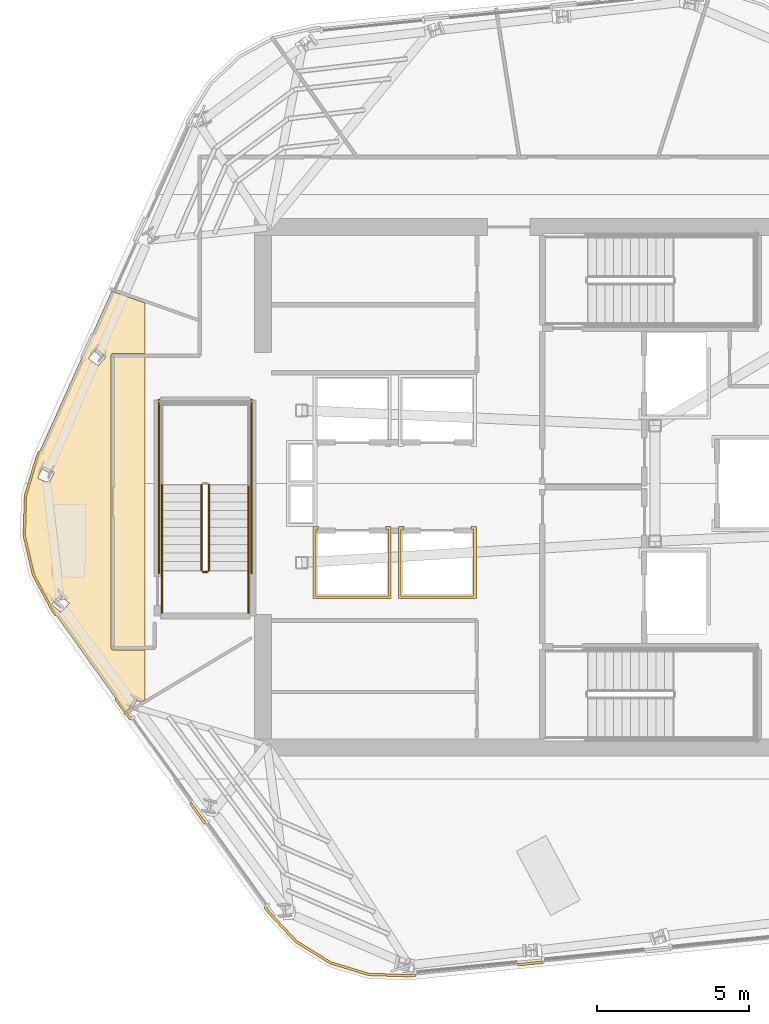
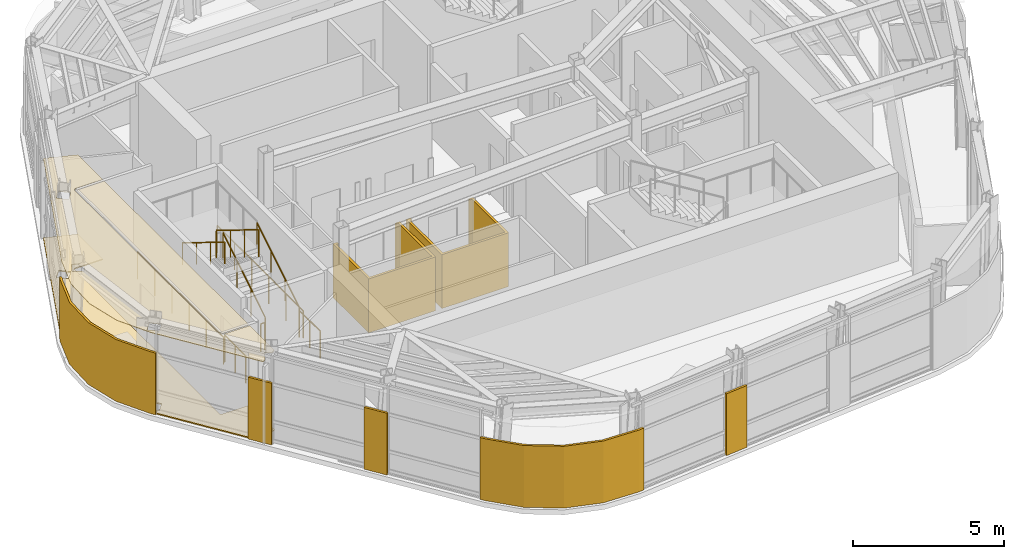
# One storey, part 8 of 12: 10 coverings, 9 railings.
"""IFC4 building model written with IfcOpenShell, lengths in metres."""

from ifc_helpers import new_model, si_unit, direction, frame, origin, origin_2d, place, context, subcontext, project, spatial, polyline, circle, outline, extrude, material, layer, layer_set, type_object, element, save


model = new_model("IFC4")

# Units and contexts
model_context = context("Model", 3, precision=1e-05, world=origin(), true_north=direction((0.0, 1.0)))
body_context = subcontext(model_context, "Body", "Model", "MODEL_VIEW")
ifc_project = project(units=[si_unit("LENGTHUNIT", "METRE"), si_unit("AREAUNIT", "SQUARE_METRE"), si_unit("VOLUMEUNIT", "CUBIC_METRE"), si_unit("PLANEANGLEUNIT", "RADIAN"), si_unit("MASSUNIT", "GRAM", prefix="KILO")], contexts=[model_context])

# Site, building, storey
site_placement = place(None, origin())
site = spatial("IfcSite", under=ifc_project, at=site_placement, CompositionType="ELEMENT")
building_placement = place(site_placement, origin())
building = spatial("IfcBuilding", under=site, at=building_placement, Name="Valkerne Bourse Tower", CompositionType="ELEMENT")
storey_placement = place(building_placement, frame((0.0, 0.0, 307.800048828125)))
storey = spatial("IfcBuildingStorey", under=building, at=storey_placement, Name="L78", CompositionType="ELEMENT", Elevation=307.800048828125)

# Coverings
ifc_material_1 = material(Name="Mineral Fiber Acoustic Ceiling Tile", Category="acoustic")
ifc_layer_1 = layer(ifc_material_1, 0.02490234375)
ifc_layer_set_1 = layer_set([ifc_layer_1], Name="Mineral Fiber Acoustic Ceiling Tile")
covering_type_1 = type_object("IfcCoveringType", Name="COV-CEIL-ACT", PredefinedType="CEILING", material=ifc_layer_set_1)
covering_1_placement = place(storey_placement, frame((0.0, 0.0, 3.22998046875)))
element("IfcCovering", 1, at=covering_1_placement, inside=storey, type_object=covering_type_1, Name="L78 Suspended Ceiling 07", PredefinedType="CEILING", context=body_context, shape_type="SweptSolid", body=[
    extrude(outline(polyline([(29.635009765625, 25.28662109375), (29.676513671875, 26.605712890625), (30.060546875, 27.878173828125), (32.505126953125, 33.316162109375), (33.60009765625, 32.927978515625), (33.60009765625, 31.26904296875), (32.54931640625, 31.26904296875), (32.50830078125, 31.25537109375), (32.483154296875, 31.217529296875), (32.481689453125, 21.589111328125), (32.50390625, 21.54833984375), (32.54638671875, 21.531005859375), (33.60009765625, 21.531005859375), (33.60009765625, 19.902587890625), (33.462158203125, 19.820068359375), (33.231201171875, 19.932861328125), (33.056884765625, 19.577392578125), (32.94287109375, 19.509033203125), (30.564453125, 22.83056640625), (29.936279296875, 24.001953125), (29.635009765625, 25.28662109375)]), holes=[polyline([(31.10986328125, 23.068603515625), (30.7998046875, 23.3349609375), (30.5341796875, 23.027099609375), (30.534912109375, 23.02490234375), (30.844970703125, 22.758544921875), (31.1103515625, 23.06640625), (31.10986328125, 23.068603515625)]), polyline([(30.61474609375, 27.373046875), (30.247802734375, 27.54833984375), (30.071044921875, 27.179931640625), (30.071044921875, 27.177490234375), (30.43798828125, 27.002197265625), (30.61474609375, 27.37060546875), (30.61474609375, 27.373046875)]), polyline([(32.312255859375, 31.16259765625), (32.001708984375, 31.42529296875), (31.7373046875, 31.113525390625), (31.73681640625, 31.111572265625), (32.04736328125, 30.848876953125), (32.3115234375, 31.160400390625), (32.312255859375, 31.16259765625)])]), origin(), (0.0, 0.0, 1.0), 0.02490234375),
])
ifc_material_2 = material(Name="Bronze Anodised Aluminium AA 6063-T6", Category="aluminium")
ifc_layer_2 = layer(ifc_material_2, 0.030029296875)
ifc_layer_set_2 = layer_set([ifc_layer_2], Name="Bronze Anodised Aluminium AA 6063-T6")
covering_type_2 = type_object("IfcCoveringType", Name="COV-CEIL-METAL", PredefinedType="CEILING", material=ifc_layer_set_2)
covering_2_placement = place(storey_placement, frame((0.0, 0.0, 3.22998046875)))
element("IfcCovering", 2, at=covering_2_placement, inside=storey, type_object=covering_type_2, Name="L78 Suspended Ceiling 02", PredefinedType="CEILING", context=body_context, shape_type="SweptSolid", body=[
    extrude(outline(polyline([(32.553955078125, 21.60400390625), (32.553955078125, 31.196044921875), (33.60009765625, 31.196044921875), (33.60009765625, 21.60400390625), (32.553955078125, 21.60400390625)])), origin(), (0.0, 0.0, 1.0), 0.02490234375),
])
ifc_layer_3 = layer(ifc_material_2, 0.06005859375)
ifc_layer_set_3 = layer_set([ifc_layer_3], Name="Bronze Anodised Aluminium AA 6063-T6")
covering_type_3 = type_object("IfcCoveringType", Name="COV-CRN-ALUM", PredefinedType="CLADDING", material=ifc_layer_set_3)
covering_3_placement = place(storey_placement, origin())
element("IfcCovering", 3, at=covering_3_placement, inside=storey, type_object=covering_type_3, Name="L78 Wind-Shaped Corner Aluminium Cladding 03", PredefinedType="CLADDING", context=body_context, shape_type="SweptSolid", body=[
    extrude(outline(polyline([(45.84326171875, 11.150634765625), (45.83544921875, 11.230224609375), (46.671142578125, 11.315185546875), (46.67919921875, 11.235595703125), (45.84326171875, 11.150634765625)])), origin(), (0.0, 0.0, 1.0), 2.5),
])
covering_4_placement = place(storey_placement, origin())
element("IfcCovering", 4, at=covering_4_placement, inside=storey, type_object=covering_type_3, Name="L78 Wind-Shaped Corner Aluminium Cladding 04", PredefinedType="CLADDING", context=body_context, shape_type="SweptSolid", body=[
    extrude(outline(polyline([(42.28466796875, 10.78955078125), (40.94775390625, 10.83154296875), (39.67333984375, 11.21630859375), (38.5419921875, 11.917724609375), (37.626220703125, 12.892822265625), (37.507080078125, 13.0595703125), (37.572021484375, 13.106201171875), (37.688232421875, 12.94384765625), (38.59326171875, 11.980224609375), (39.70654296875, 11.289794921875), (40.960693359375, 10.9111328125), (42.281982421875, 10.86962890625), (42.480712890625, 10.889892578125), (42.48876953125, 10.810302734375), (42.28466796875, 10.78955078125)])), origin(), (0.0, 0.0, 1.0), 2.5),
])
covering_5_placement = place(storey_placement, origin())
element("IfcCovering", 5, at=covering_5_placement, inside=storey, type_object=covering_type_3, Name="L78 Wind-Shaped Corner Aluminium Cladding 05", PredefinedType="CLADDING", context=body_context, shape_type="SweptSolid", body=[
    extrude(outline(polyline([(35.0546875, 16.484130859375), (35.11962890625, 16.53076171875), (35.60888671875, 15.847900390625), (35.5439453125, 15.801025390625), (35.0546875, 16.484130859375)])), origin(), (0.0, 0.0, 1.0), 2.5),
])
covering_6_placement = place(storey_placement, origin())
element("IfcCovering", 6, at=covering_6_placement, inside=storey, type_object=covering_type_3, Name="L78 Wind-Shaped Corner Aluminium Cladding 06", PredefinedType="CLADDING", context=body_context, shape_type="SweptSolid", body=[
    extrude(outline(polyline([(32.6025390625, 19.90869140625), (32.66748046875, 19.955322265625), (33.156494140625, 19.2724609375), (33.091552734375, 19.2255859375), (32.6025390625, 19.90869140625)])), origin(), (0.0, 0.0, 1.0), 2.5),
])
covering_7_placement = place(storey_placement, origin())
element("IfcCovering", 7, at=covering_7_placement, inside=storey, type_object=covering_type_3, Name="L78 Wind-Shaped Corner Aluminium Cladding 07", PredefinedType="CLADDING", context=body_context, shape_type="SweptSolid", body=[
    extrude(outline(polyline([(30.527099609375, 22.807373046875), (29.894775390625, 23.986328125), (29.5908203125, 25.2822265625), (29.632568359375, 26.61279296875), (30.019287109375, 27.8935546875), (30.098388671875, 28.06982421875), (30.17138671875, 28.036865234375), (30.094482421875, 27.865478515625), (29.71240234375, 26.599853515625), (29.671142578125, 25.290283203125), (29.97021484375, 24.014892578125), (30.594970703125, 22.849609375), (30.704345703125, 22.697021484375), (30.639404296875, 22.650146484375), (30.527099609375, 22.807373046875)])), origin(), (0.0, 0.0, 1.0), 2.5),
])
ifc_material_3 = material(Name="Galvanised Painted Steel", Category="steel")
ifc_layer_4 = layer(ifc_material_3, 0.044921875)
ifc_layer_set_4 = layer_set([ifc_layer_4], Name="Galvanised Painted Steel")
covering_type_4 = type_object("IfcCoveringType", Name="COV-FLR-RAF", PredefinedType="FLOORING", material=ifc_layer_set_4)
covering_8_placement = place(storey_placement, origin())
element("IfcCovering", 8, at=covering_8_placement, inside=storey, type_object=covering_type_4, Name="L78 Floor Finish 07", PredefinedType="FLOORING", context=body_context, shape_type="SweptSolid", body=[
    extrude(outline(polyline([(29.635009765625, 25.28662109375), (29.676513671875, 26.605712890625), (30.060546875, 27.878173828125), (32.505126953125, 33.316162109375), (33.60009765625, 32.927978515625), (33.60009765625, 31.26904296875), (32.54931640625, 31.26904296875), (32.50830078125, 31.25537109375), (32.483154296875, 31.217529296875), (32.481689453125, 21.589111328125), (32.50390625, 21.54833984375), (32.54638671875, 21.531005859375), (33.60009765625, 21.531005859375), (33.60009765625, 19.902587890625), (33.462158203125, 19.820068359375), (33.231201171875, 19.932861328125), (33.056884765625, 19.577392578125), (32.94287109375, 19.509033203125), (30.564453125, 22.83056640625), (29.936279296875, 24.001953125), (29.635009765625, 25.28662109375)]), holes=[polyline([(31.10986328125, 23.068603515625), (30.7998046875, 23.3349609375), (30.5341796875, 23.027099609375), (30.534912109375, 23.02490234375), (30.844970703125, 22.758544921875), (31.1103515625, 23.06640625), (31.10986328125, 23.068603515625)]), polyline([(30.61474609375, 27.373046875), (30.247802734375, 27.54833984375), (30.071044921875, 27.179931640625), (30.071044921875, 27.177490234375), (30.43798828125, 27.002197265625), (30.61474609375, 27.37060546875), (30.61474609375, 27.373046875)]), polyline([(32.312255859375, 31.16259765625), (32.001708984375, 31.42529296875), (31.7373046875, 31.113525390625), (31.73681640625, 31.111572265625), (32.04736328125, 30.848876953125), (32.3115234375, 31.160400390625), (32.312255859375, 31.16259765625)])]), origin(), (0.0, 0.0, 1.0), 0.044921875),
])
ifc_material_4 = material(Name="Gypsum Shaftwall Liner Board", Category="gypsum")
ifc_layer_5 = layer(ifc_material_4, 0.080078125)
ifc_layer_set_5 = layer_set([ifc_layer_5], Name="Gypsum Shaftwall Liner Board")
covering_type_5 = type_object("IfcCoveringType", Name="COV-SHF-CLAD", PredefinedType="CLADDING", material=ifc_layer_set_5)
covering_9_placement = place(storey_placement, origin())
element("IfcCovering", 9, at=covering_9_placement, inside=storey, type_object=covering_type_5, Name="L78 Hoistway & Riser Shaftwall Liner 02", PredefinedType="CLADDING", context=body_context, shape_type="SweptSolid", body=[
    extrude(outline(polyline([(39.29931640625, 25.580078125), (39.28857421875, 25.537841796875), (39.2822265625, 25.494140625), (39.281982421875, 25.489990234375), (39.2099609375, 25.489990234375), (39.2099609375, 23.31005859375), (41.590087890625, 23.31005859375), (41.590087890625, 25.489990234375), (41.51806640625, 25.489990234375), (41.517822265625, 25.494140625), (41.511474609375, 25.537841796875), (41.500732421875, 25.580078125), (41.679931640625, 25.580078125), (41.679931640625, 23.219970703125), (39.1201171875, 23.219970703125), (39.1201171875, 25.580078125), (39.29931640625, 25.580078125)])), origin(), (0.0, 0.0, 1.0), 2.179931640625),
])
covering_10_placement = place(storey_placement, origin())
element("IfcCovering", 10, at=covering_10_placement, inside=storey, type_object=covering_type_5, Name="L78 Hoistway & Riser Shaftwall Liner 03", PredefinedType="CLADDING", context=body_context, shape_type="SweptSolid", body=[
    extrude(outline(polyline([(42.09912109375, 25.580078125), (42.088623046875, 25.537841796875), (42.082275390625, 25.494140625), (42.08203125, 25.489990234375), (42.010009765625, 25.489990234375), (42.010009765625, 23.31005859375), (44.389892578125, 23.31005859375), (44.389892578125, 25.489990234375), (44.318115234375, 25.489990234375), (44.31787109375, 25.494140625), (44.311279296875, 25.537841796875), (44.30078125, 25.580078125), (44.47998046875, 25.580078125), (44.47998046875, 23.219970703125), (41.919921875, 23.219970703125), (41.919921875, 25.580078125), (42.09912109375, 25.580078125)])), origin(), (0.0, 0.0, 1.0), 2.179931640625),
])

# Railings
railing_type_1 = type_object("IfcRailingType", Name="RLG-ST-GUARD-1120", PredefinedType="GUARDRAIL", material=ifc_material_3)
railing_1_placement = place(storey_placement, frame((35.699951171875, 24.14990234375, 0.172607421875)))
element("IfcRailing", 11, at=railing_1_placement, inside=storey, type_object=railing_type_1, Name="L78 ST-3 stair guard 1", PredefinedType="GUARDRAIL", context=body_context, shape_type="SweptSolid", body=[
    extrude(circle(Radius=0.02392578125, at=origin_2d()), frame((0.0, 0.0, 1.09619140625), z_axis=(0.0, 0.851089632645, 0.525020415988), x_axis=(-1.0, 0.0, 0.0)), (0.0, 0.0, 1.0), 3.2900390625),
    extrude(circle(Radius=0.02099609375, at=origin_2d()), origin(), (0.0, 0.0, 1.0), 1.072021484375),
    extrude(circle(Radius=0.02099609375, at=origin_2d()), frame((0.0, 0.933349609375, 0.57568359375)), (0.0, 0.0, 1.0), 1.072021484375),
    extrude(circle(Radius=0.02099609375, at=origin_2d()), frame((0.0, 1.86669921875, 1.151611328125)), (0.0, 0.0, 1.0), 1.072021484375),
    extrude(circle(Radius=0.02099609375, at=origin_2d()), frame((0.0, 2.800048828125, 1.727294921875)), (0.0, 0.0, 1.0), 1.072021484375),
])
railing_2_placement = place(storey_placement, frame((35.449951171875, 26.949951171875, 2.07275390625)))
element("IfcRailing", 12, at=railing_2_placement, inside=storey, type_object=railing_type_1, Name="L78 ST-3 stair guard 6", PredefinedType="GUARDRAIL", context=body_context, shape_type="SweptSolid", body=[
    extrude(circle(Radius=0.02392578125, at=origin_2d()), frame((0.0, 0.0, 1.09619140625), z_axis=(0.0, -0.851089632645, 0.525020415988), x_axis=(1.0, 0.0, 0.0)), (0.0, 0.0, 1.0), 3.2900390625),
    extrude(circle(Radius=0.02099609375, at=origin_2d()), origin(), (0.0, 0.0, 1.0), 1.072021484375),
    extrude(circle(Radius=0.02099609375, at=origin_2d()), frame((0.0, -0.933349609375, 0.57568359375)), (0.0, 0.0, 1.0), 1.072021484375),
    extrude(circle(Radius=0.02099609375, at=origin_2d()), frame((0.0, -1.86669921875, 1.151611328125)), (0.0, 0.0, 1.0), 1.072021484375),
    extrude(circle(Radius=0.02099609375, at=origin_2d()), frame((0.0, -2.800048828125, 1.727294921875)), (0.0, 0.0, 1.0), 1.072021484375),
])
railing_3_placement = place(storey_placement, frame((35.64990234375, 24.10009765625, 0.0)))
element("IfcRailing", 13, at=railing_3_placement, inside=storey, type_object=railing_type_1, Name="L78 ST-3 stair guard 7", PredefinedType="GUARDRAIL", context=body_context, shape_type="SweptSolid", body=[
    extrude(circle(Radius=0.02392578125, at=origin_2d()), frame((0.0, 0.0, 1.09619140625), z_axis=(-1.0, 0.0, 0.0), x_axis=(0.0, -1.0, 0.0)), (0.0, 0.0, 1.0), 0.14990234375),
    extrude(circle(Radius=0.02099609375, at=origin_2d()), origin(), (0.0, 0.0, 1.0), 1.072021484375),
    extrude(circle(Radius=0.02099609375, at=origin_2d()), frame((-0.14990234375, 0.0, 0.0)), (0.0, 0.0, 1.0), 1.072021484375),
])
for number, where, name in (
    (14, (37.0, 22.75, 0.0), "L78 ST-3 stair guard 8"),
    (15, (34.14990234375, 22.75, 0.0), "L78 ST-3 stair guard 9"),
):
    element("IfcRailing", number, at=place(storey_placement, frame(where)), inside=storey, type_object=railing_type_1, Name=name, PredefinedType="GUARDRAIL", context=body_context, shape_type="SweptSolid", body=[
        extrude(circle(Radius=0.02392578125, at=origin_2d()), frame((0.0, 0.0, 1.09619140625), z_axis=(0.0, 1.0, 0.0), x_axis=(-1.0, 0.0, 0.0)), (0.0, 0.0, 1.0), 1.39990234375),
        extrude(circle(Radius=0.02099609375, at=origin_2d()), origin(), (0.0, 0.0, 1.0), 1.072021484375),
        extrude(circle(Radius=0.02099609375, at=origin_2d()), frame((0.0, 0.699951171875, 0.0)), (0.0, 0.0, 1.0), 1.072021484375),
        extrude(circle(Radius=0.02099609375, at=origin_2d()), frame((0.0, 1.39990234375, 0.0)), (0.0, 0.0, 1.0), 1.072021484375),
    ])
for number, where, name in (
    (16, (37.10009765625, 24.050048828125, 0.0), "L78 ST-3 stair guard 10"),
    (17, (34.050048828125, 24.050048828125, 0.0), "L78 ST-3 stair guard 11"),
):
    element("IfcRailing", number, at=place(storey_placement, frame(where)), inside=storey, type_object=railing_type_1, Name=name, PredefinedType="GUARDRAIL", context=body_context, shape_type="SweptSolid", body=[
        extrude(circle(Radius=0.02392578125, at=origin_2d()), frame((0.0, 0.0, 1.09619140625), z_axis=(0.0, 1.0, 0.0), x_axis=(-1.0, 0.0, 0.0)), (0.0, 0.0, 1.0), 5.699951171875),
        extrude(circle(Radius=0.02099609375, at=origin_2d()), origin(), (0.0, 0.0, 1.0), 1.072021484375),
        extrude(circle(Radius=0.02099609375, at=origin_2d()), frame((0.0, 1.139892578125, 0.0)), (0.0, 0.0, 1.0), 1.072021484375),
        extrude(circle(Radius=0.02099609375, at=origin_2d()), frame((0.0, 2.280029296875, 0.0)), (0.0, 0.0, 1.0), 1.072021484375),
        extrude(circle(Radius=0.02099609375, at=origin_2d()), frame((0.0, 3.419921875, 0.0)), (0.0, 0.0, 1.0), 1.072021484375),
        extrude(circle(Radius=0.02099609375, at=origin_2d()), frame((0.0, 4.56005859375, 0.0)), (0.0, 0.0, 1.0), 1.072021484375),
        extrude(circle(Radius=0.02099609375, at=origin_2d()), frame((0.0, 5.699951171875, 0.0)), (0.0, 0.0, 1.0), 1.072021484375),
    ])
ifc_material_5 = material(Name="Stainless Steel AISI 316", Category="steel")
railing_type_2 = type_object("IfcRailingType", Name="RLG-ST-HANDRAIL-900", PredefinedType="HANDRAIL", material=ifc_material_5)
railing_4_placement = place(storey_placement, frame((37.0, 24.14990234375, 0.345458984375)))
element("IfcRailing", 18, at=railing_4_placement, inside=storey, type_object=railing_type_2, Name="L78 ST-3 stair handrail 1", PredefinedType="HANDRAIL", context=body_context, shape_type="SweptSolid", body=[
    extrude(circle(Radius=0.02392578125, at=origin_2d()), frame((0.0, 0.0, 0.8759765625), z_axis=(0.0, 0.851089632645, 0.525020415988), x_axis=(-1.0, 0.0, 0.0)), (0.0, 0.0, 1.0), 3.2900390625),
    extrude(circle(Radius=0.02099609375, at=origin_2d()), origin(), (0.0, 0.0, 1.0), 0.851806640625),
    extrude(circle(Radius=0.02099609375, at=origin_2d()), frame((0.0, 0.933349609375, 0.57568359375)), (0.0, 0.0, 1.0), 0.851806640625),
    extrude(circle(Radius=0.02099609375, at=origin_2d()), frame((0.0, 1.86669921875, 1.151611328125)), (0.0, 0.0, 1.0), 0.851806640625),
    extrude(circle(Radius=0.02099609375, at=origin_2d()), frame((0.0, 2.800048828125, 1.727294921875)), (0.0, 0.0, 1.0), 0.851806640625),
])
railing_5_placement = place(storey_placement, frame((34.14990234375, 26.949951171875, 2.245361328125)))
element("IfcRailing", 19, at=railing_5_placement, inside=storey, type_object=railing_type_2, Name="L78 ST-3 stair handrail 2", PredefinedType="HANDRAIL", context=body_context, shape_type="SweptSolid", body=[
    extrude(circle(Radius=0.02392578125, at=origin_2d()), frame((0.0, 0.0, 0.8759765625), z_axis=(0.0, -0.851089632645, 0.525020415988), x_axis=(1.0, 0.0, 0.0)), (0.0, 0.0, 1.0), 3.2900390625),
    extrude(circle(Radius=0.02099609375, at=origin_2d()), origin(), (0.0, 0.0, 1.0), 0.851806640625),
    extrude(circle(Radius=0.02099609375, at=origin_2d()), frame((0.0, -0.933349609375, 0.57568359375)), (0.0, 0.0, 1.0), 0.851806640625),
    extrude(circle(Radius=0.02099609375, at=origin_2d()), frame((0.0, -1.86669921875, 1.151611328125)), (0.0, 0.0, 1.0), 0.851806640625),
    extrude(circle(Radius=0.02099609375, at=origin_2d()), frame((0.0, -2.800048828125, 1.727294921875)), (0.0, 0.0, 1.0), 0.851806640625),
])

save(model, "model.ifc")
